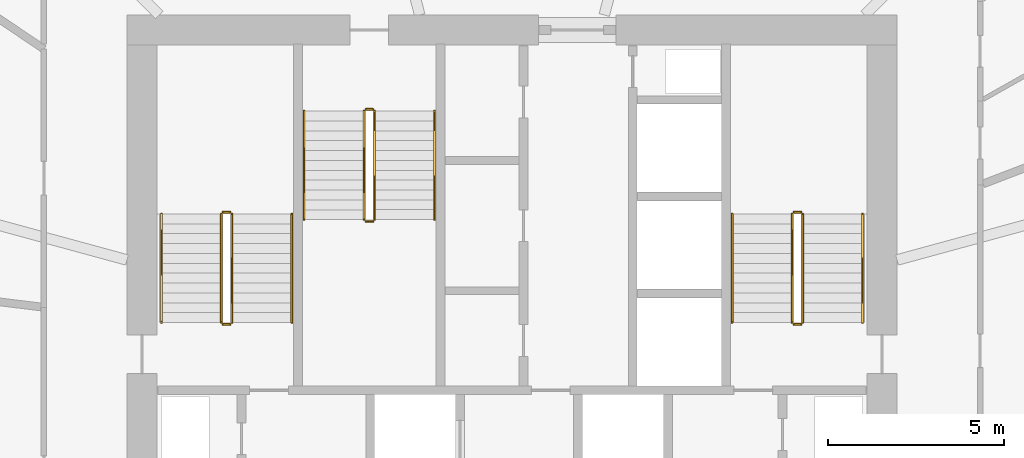
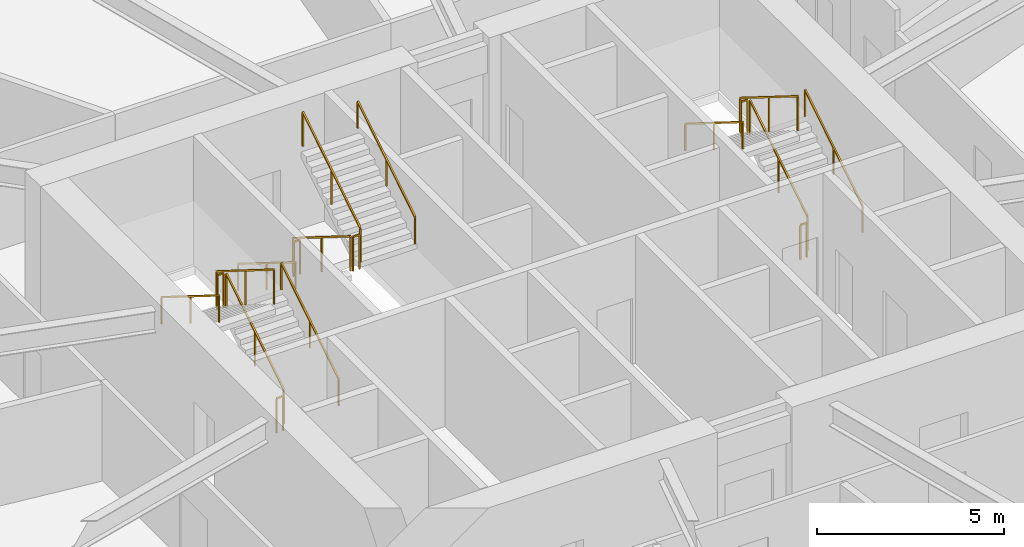
# One storey, part 28 of 28: 18 railings.
"""IFC4 building model written with IfcOpenShell, lengths in metres."""

from ifc_helpers import new_model, si_unit, direction, frame, origin, origin_2d, place, context, subcontext, project, spatial, rectangle, extrude, material, type_object, element, save


model = new_model("IFC4")

# Units and contexts
model_context = context("Model", 3, precision=1e-05, world=origin(), true_north=direction((0.0, 1.0)))
body_context = subcontext(model_context, "Body", "Model", "MODEL_VIEW")
ifc_project = project(units=[si_unit("LENGTHUNIT", "METRE"), si_unit("AREAUNIT", "SQUARE_METRE"), si_unit("VOLUMEUNIT", "CUBIC_METRE"), si_unit("PLANEANGLEUNIT", "RADIAN"), si_unit("MASSUNIT", "GRAM", prefix="KILO")], contexts=[model_context])

# Site, building, storey
site_placement = place(None, origin())
site = spatial("IfcSite", under=ifc_project, at=site_placement, CompositionType="ELEMENT")
building_placement = place(site_placement, origin())
building = spatial("IfcBuilding", under=site, at=building_placement, Name="Zuhravey Tower", CompositionType="ELEMENT")
storey_placement = place(building_placement, frame((0.0, 0.0, 24.60009765625)))
storey = spatial("IfcBuildingStorey", under=building, at=storey_placement, Name="L06", CompositionType="ELEMENT", Elevation=24.60009765625)

# Railings
ifc_material_1 = material(Name="Brushed stainless steel", Category="steel")
railing_type_1 = type_object("IfcRailingType", Name="Stair Wall Handrail 900", PredefinedType="HANDRAIL", material=ifc_material_1)
railing_1_placement = place(storey_placement, frame((29.75, 33.199951171875, 0.1748046875)))
element("IfcRailing", 1, at=railing_1_placement, inside=storey, type_object=railing_type_1, Name="L06 ST1 stair handrail 1", PredefinedType="HANDRAIL", context=body_context, shape_type="SweptSolid", body=[
    extrude(rectangle(XDim=0.048095703125, YDim=0.048095703125, at=origin_2d()), frame((0.0, 0.001708984375, 0.876953125), z_axis=(0.0, 0.847998304005, 0.529998940003), x_axis=(-1.0, 0.0, 0.0)), (0.0, 0.0, 1.0), 3.628173828125),
    extrude(rectangle(XDim=0.0419921875, YDim=0.0419921875, at=origin_2d()), origin(), (0.0, 0.0, 1.0), 0.849853515625),
    extrude(rectangle(XDim=0.0419921875, YDim=0.0419921875, at=origin_2d()), frame((0.0, 1.5400390625, 0.96240234375)), (0.0, 0.0, 1.0), 0.849853515625),
    extrude(rectangle(XDim=0.0419921875, YDim=0.0419921875, at=origin_2d()), frame((0.0, 3.080078125, 1.925048828125)), (0.0, 0.0, 1.0), 0.849853515625),
])
railing_2_placement = place(storey_placement, frame((26.050048828125, 36.280029296875, 2.27490234375)))
element("IfcRailing", 2, at=railing_2_placement, inside=storey, type_object=railing_type_1, Name="L06 ST1 stair handrail 2", PredefinedType="HANDRAIL", context=body_context, shape_type="SweptSolid", body=[
    extrude(rectangle(XDim=0.048095703125, YDim=0.048095703125, at=origin_2d()), frame((0.0, -0.001708984375, 0.876953125), z_axis=(0.0, -0.847998304005, 0.529998940003), x_axis=(1.0, 0.0, 0.0)), (0.0, 0.0, 1.0), 3.628173828125),
    extrude(rectangle(XDim=0.0419921875, YDim=0.0419921875, at=origin_2d()), origin(), (0.0, 0.0, 1.0), 0.849853515625),
    extrude(rectangle(XDim=0.0419921875, YDim=0.0419921875, at=origin_2d()), frame((0.0, -1.5400390625, 0.96240234375)), (0.0, 0.0, 1.0), 0.849853515625),
    extrude(rectangle(XDim=0.0419921875, YDim=0.0419921875, at=origin_2d()), frame((0.0, -3.080078125, 1.925048828125)), (0.0, 0.0, 1.0), 0.849853515625),
])
railing_3_placement = place(storey_placement, frame((45.949951171875, 33.199951171875, 0.1748046875)))
element("IfcRailing", 3, at=railing_3_placement, inside=storey, type_object=railing_type_1, Name="L06 ST2 stair handrail 1", PredefinedType="HANDRAIL", context=body_context, shape_type="SweptSolid", body=[
    extrude(rectangle(XDim=0.048095703125, YDim=0.048095703125, at=origin_2d()), frame((0.0, 0.001708984375, 0.876953125), z_axis=(0.0, 0.847998304005, 0.529998940003), x_axis=(-1.0, 0.0, 0.0)), (0.0, 0.0, 1.0), 3.628173828125),
    extrude(rectangle(XDim=0.0419921875, YDim=0.0419921875, at=origin_2d()), origin(), (0.0, 0.0, 1.0), 0.849853515625),
    extrude(rectangle(XDim=0.0419921875, YDim=0.0419921875, at=origin_2d()), frame((0.0, 1.5400390625, 0.96240234375)), (0.0, 0.0, 1.0), 0.849853515625),
    extrude(rectangle(XDim=0.0419921875, YDim=0.0419921875, at=origin_2d()), frame((0.0, 3.080078125, 1.925048828125)), (0.0, 0.0, 1.0), 0.849853515625),
])
railing_4_placement = place(storey_placement, frame((42.25, 36.280029296875, 2.27490234375)))
element("IfcRailing", 4, at=railing_4_placement, inside=storey, type_object=railing_type_1, Name="L06 ST2 stair handrail 2", PredefinedType="HANDRAIL", context=body_context, shape_type="SweptSolid", body=[
    extrude(rectangle(XDim=0.048095703125, YDim=0.048095703125, at=origin_2d()), frame((0.0, -0.001708984375, 0.876953125), z_axis=(0.0, -0.847998304005, 0.529998940003), x_axis=(1.0, 0.0, 0.0)), (0.0, 0.0, 1.0), 3.628173828125),
    extrude(rectangle(XDim=0.0419921875, YDim=0.0419921875, at=origin_2d()), origin(), (0.0, 0.0, 1.0), 0.849853515625),
    extrude(rectangle(XDim=0.0419921875, YDim=0.0419921875, at=origin_2d()), frame((0.0, -1.5400390625, 0.96240234375)), (0.0, 0.0, 1.0), 0.849853515625),
    extrude(rectangle(XDim=0.0419921875, YDim=0.0419921875, at=origin_2d()), frame((0.0, -3.080078125, 1.925048828125)), (0.0, 0.0, 1.0), 0.849853515625),
])
railing_5_placement = place(storey_placement, frame((30.10009765625, 39.199951171875, 0.1748046875)))
element("IfcRailing", 5, at=railing_5_placement, inside=storey, type_object=railing_type_1, Name="L06 ST3 stair handrail 1", PredefinedType="HANDRAIL", context=body_context, shape_type="SweptSolid", body=[
    extrude(rectangle(XDim=0.048095703125, YDim=0.048095703125, at=origin_2d()), frame((0.0, -0.001708984375, 0.876953125), z_axis=(0.0, -0.847979421464, 0.530029150871), x_axis=(1.0, 0.0, 0.0)), (0.0, 0.0, 1.0), 3.6279296875),
    extrude(rectangle(XDim=0.0419921875, YDim=0.0419921875, at=origin_2d()), origin(), (0.0, 0.0, 1.0), 0.849853515625),
    extrude(rectangle(XDim=0.0419921875, YDim=0.0419921875, at=origin_2d()), frame((0.0, -1.5400390625, 0.96240234375)), (0.0, 0.0, 1.0), 0.849853515625),
    extrude(rectangle(XDim=0.0419921875, YDim=0.0419921875, at=origin_2d()), frame((0.0, -3.079833984375, 1.925048828125)), (0.0, 0.0, 1.0), 0.849853515625),
])
railing_6_placement = place(storey_placement, frame((33.800048828125, 36.1201171875, 2.27490234375)))
element("IfcRailing", 6, at=railing_6_placement, inside=storey, type_object=railing_type_1, Name="L06 ST3 stair handrail 2", PredefinedType="HANDRAIL", context=body_context, shape_type="SweptSolid", body=[
    extrude(rectangle(XDim=0.048095703125, YDim=0.048095703125, at=origin_2d()), frame((0.0, 0.001708984375, 0.876953125), z_axis=(0.0, 0.847979421464, 0.530029150871), x_axis=(-1.0, 0.0, 0.0)), (0.0, 0.0, 1.0), 3.6279296875),
    extrude(rectangle(XDim=0.0419921875, YDim=0.0419921875, at=origin_2d()), origin(), (0.0, 0.0, 1.0), 0.849853515625),
    extrude(rectangle(XDim=0.0419921875, YDim=0.0419921875, at=origin_2d()), frame((0.0, 1.5400390625, 0.96240234375)), (0.0, 0.0, 1.0), 0.849853515625),
    extrude(rectangle(XDim=0.0419921875, YDim=0.0419921875, at=origin_2d()), frame((0.0, 3.079833984375, 1.925048828125)), (0.0, 0.0, 1.0), 0.849853515625),
])
ifc_material_2 = material(Name="Painted tubular steel", Category="steel")
railing_type_2 = type_object("IfcRailingType", Name="Stair Well Guardrail 1150", PredefinedType="GUARDRAIL", material=ifc_material_2)
railing_7_placement = place(storey_placement, frame((28.050048828125, 33.199951171875, 0.1748046875)))
element("IfcRailing", 7, at=railing_7_placement, inside=storey, type_object=railing_type_2, Name="L06 ST1 stair guard 1", PredefinedType="GUARDRAIL", context=body_context, shape_type="SweptSolid", body=[
    extrude(rectangle(XDim=0.048095703125, YDim=0.048095703125, at=origin_2d()), frame((0.0, 0.001708984375, 1.126953125), z_axis=(0.0, 0.847998304005, 0.529998940003), x_axis=(-1.0, 0.0, 0.0)), (0.0, 0.0, 1.0), 3.628173828125),
    extrude(rectangle(XDim=0.0419921875, YDim=0.0419921875, at=origin_2d()), origin(), (0.0, 0.0, 1.0), 1.099853515625),
    extrude(rectangle(XDim=0.0419921875, YDim=0.0419921875, at=origin_2d()), frame((0.0, 1.5400390625, 0.96240234375)), (0.0, 0.0, 1.0), 1.099853515625),
    extrude(rectangle(XDim=0.0419921875, YDim=0.0419921875, at=origin_2d()), frame((0.0, 3.080078125, 1.925048828125)), (0.0, 0.0, 1.0), 1.099853515625),
])
railing_8_placement = place(storey_placement, frame((28.0, 36.330078125, 2.099853515625)))
element("IfcRailing", 8, at=railing_8_placement, inside=storey, type_object=railing_type_2, Name="L06 ST1 stair guard 2", PredefinedType="GUARDRAIL", context=body_context, shape_type="SweptSolid", body=[
    extrude(rectangle(XDim=0.048095703125, YDim=0.048095703125, at=origin_2d()), frame((-0.001953125, 0.0, 1.1259765625), z_axis=(-1.0, 0.0, 0.0), x_axis=(0.0, -1.0, 0.0)), (0.0, 0.0, 1.0), 0.196044921875),
    extrude(rectangle(XDim=0.0419921875, YDim=0.0419921875, at=origin_2d()), origin(), (0.0, 0.0, 1.0), 1.099853515625),
    extrude(rectangle(XDim=0.0419921875, YDim=0.0419921875, at=origin_2d()), frame((-0.199951171875, 0.0, 0.0)), (0.0, 0.0, 1.0), 1.099853515625),
])
railing_9_placement = place(storey_placement, frame((27.75, 36.280029296875, 2.27490234375)))
element("IfcRailing", 9, at=railing_9_placement, inside=storey, type_object=railing_type_2, Name="L06 ST1 stair guard 3", PredefinedType="GUARDRAIL", context=body_context, shape_type="SweptSolid", body=[
    extrude(rectangle(XDim=0.048095703125, YDim=0.048095703125, at=origin_2d()), frame((0.0, -0.001708984375, 1.126953125), z_axis=(0.0, -0.847998304005, 0.529998940003), x_axis=(1.0, 0.0, 0.0)), (0.0, 0.0, 1.0), 3.628173828125),
    extrude(rectangle(XDim=0.0419921875, YDim=0.0419921875, at=origin_2d()), origin(), (0.0, 0.0, 1.0), 1.099853515625),
    extrude(rectangle(XDim=0.0419921875, YDim=0.0419921875, at=origin_2d()), frame((0.0, -1.5400390625, 0.96240234375)), (0.0, 0.0, 1.0), 1.099853515625),
    extrude(rectangle(XDim=0.0419921875, YDim=0.0419921875, at=origin_2d()), frame((0.0, -3.080078125, 1.925048828125)), (0.0, 0.0, 1.0), 1.099853515625),
])
railing_10_placement = place(storey_placement, frame((28.0, 33.14990234375, 0.0)))
element("IfcRailing", 10, at=railing_10_placement, inside=storey, type_object=railing_type_2, Name="L06 ST1 stair guard 4", PredefinedType="GUARDRAIL", context=body_context, shape_type="SweptSolid", body=[
    extrude(rectangle(XDim=0.048095703125, YDim=0.048095703125, at=origin_2d()), frame((-0.001953125, 0.0, 1.1259765625), z_axis=(-1.0, 0.0, 0.0), x_axis=(0.0, -1.0, 0.0)), (0.0, 0.0, 1.0), 0.196044921875),
    extrude(rectangle(XDim=0.0419921875, YDim=0.0419921875, at=origin_2d()), origin(), (0.0, 0.0, 1.0), 1.099853515625),
    extrude(rectangle(XDim=0.0419921875, YDim=0.0419921875, at=origin_2d()), frame((-0.199951171875, 0.0, 0.0)), (0.0, 0.0, 1.0), 1.099853515625),
])
railing_11_placement = place(storey_placement, frame((44.25, 33.199951171875, 0.1748046875)))
element("IfcRailing", 11, at=railing_11_placement, inside=storey, type_object=railing_type_2, Name="L06 ST2 stair guard 1", PredefinedType="GUARDRAIL", context=body_context, shape_type="SweptSolid", body=[
    extrude(rectangle(XDim=0.048095703125, YDim=0.048095703125, at=origin_2d()), frame((0.0, 0.001708984375, 1.126953125), z_axis=(0.0, 0.847998304005, 0.529998940003), x_axis=(-1.0, 0.0, 0.0)), (0.0, 0.0, 1.0), 3.628173828125),
    extrude(rectangle(XDim=0.0419921875, YDim=0.0419921875, at=origin_2d()), origin(), (0.0, 0.0, 1.0), 1.099853515625),
    extrude(rectangle(XDim=0.0419921875, YDim=0.0419921875, at=origin_2d()), frame((0.0, 1.5400390625, 0.96240234375)), (0.0, 0.0, 1.0), 1.099853515625),
    extrude(rectangle(XDim=0.0419921875, YDim=0.0419921875, at=origin_2d()), frame((0.0, 3.080078125, 1.925048828125)), (0.0, 0.0, 1.0), 1.099853515625),
])
railing_12_placement = place(storey_placement, frame((44.199951171875, 36.330078125, 2.099853515625)))
element("IfcRailing", 12, at=railing_12_placement, inside=storey, type_object=railing_type_2, Name="L06 ST2 stair guard 2", PredefinedType="GUARDRAIL", context=body_context, shape_type="SweptSolid", body=[
    extrude(rectangle(XDim=0.048095703125, YDim=0.048095703125, at=origin_2d()), frame((-0.001953125, 0.0, 1.1259765625), z_axis=(-1.0, 0.0, 0.0), x_axis=(0.0, -1.0, 0.0)), (0.0, 0.0, 1.0), 0.196044921875),
    extrude(rectangle(XDim=0.0419921875, YDim=0.0419921875, at=origin_2d()), origin(), (0.0, 0.0, 1.0), 1.099853515625),
    extrude(rectangle(XDim=0.0419921875, YDim=0.0419921875, at=origin_2d()), frame((-0.199951171875, 0.0, 0.0)), (0.0, 0.0, 1.0), 1.099853515625),
])
railing_13_placement = place(storey_placement, frame((43.949951171875, 36.280029296875, 2.27490234375)))
element("IfcRailing", 13, at=railing_13_placement, inside=storey, type_object=railing_type_2, Name="L06 ST2 stair guard 3", PredefinedType="GUARDRAIL", context=body_context, shape_type="SweptSolid", body=[
    extrude(rectangle(XDim=0.048095703125, YDim=0.048095703125, at=origin_2d()), frame((0.0, -0.001708984375, 1.126953125), z_axis=(0.0, -0.847998304005, 0.529998940003), x_axis=(1.0, 0.0, 0.0)), (0.0, 0.0, 1.0), 3.628173828125),
    extrude(rectangle(XDim=0.0419921875, YDim=0.0419921875, at=origin_2d()), origin(), (0.0, 0.0, 1.0), 1.099853515625),
    extrude(rectangle(XDim=0.0419921875, YDim=0.0419921875, at=origin_2d()), frame((0.0, -1.5400390625, 0.96240234375)), (0.0, 0.0, 1.0), 1.099853515625),
    extrude(rectangle(XDim=0.0419921875, YDim=0.0419921875, at=origin_2d()), frame((0.0, -3.080078125, 1.925048828125)), (0.0, 0.0, 1.0), 1.099853515625),
])
railing_14_placement = place(storey_placement, frame((44.199951171875, 33.14990234375, 0.0)))
element("IfcRailing", 14, at=railing_14_placement, inside=storey, type_object=railing_type_2, Name="L06 ST2 stair guard 4", PredefinedType="GUARDRAIL", context=body_context, shape_type="SweptSolid", body=[
    extrude(rectangle(XDim=0.048095703125, YDim=0.048095703125, at=origin_2d()), frame((-0.001953125, 0.0, 1.1259765625), z_axis=(-1.0, 0.0, 0.0), x_axis=(0.0, -1.0, 0.0)), (0.0, 0.0, 1.0), 0.196044921875),
    extrude(rectangle(XDim=0.0419921875, YDim=0.0419921875, at=origin_2d()), origin(), (0.0, 0.0, 1.0), 1.099853515625),
    extrude(rectangle(XDim=0.0419921875, YDim=0.0419921875, at=origin_2d()), frame((-0.199951171875, 0.0, 0.0)), (0.0, 0.0, 1.0), 1.099853515625),
])
railing_15_placement = place(storey_placement, frame((31.800048828125, 39.199951171875, 0.1748046875)))
element("IfcRailing", 15, at=railing_15_placement, inside=storey, type_object=railing_type_2, Name="L06 ST3 stair guard 1", PredefinedType="GUARDRAIL", context=body_context, shape_type="SweptSolid", body=[
    extrude(rectangle(XDim=0.048095703125, YDim=0.048095703125, at=origin_2d()), frame((0.0, -0.001708984375, 1.126953125), z_axis=(0.0, -0.847979421464, 0.530029150871), x_axis=(1.0, 0.0, 0.0)), (0.0, 0.0, 1.0), 3.6279296875),
    extrude(rectangle(XDim=0.0419921875, YDim=0.0419921875, at=origin_2d()), origin(), (0.0, 0.0, 1.0), 1.099853515625),
    extrude(rectangle(XDim=0.0419921875, YDim=0.0419921875, at=origin_2d()), frame((0.0, -1.5400390625, 0.96240234375)), (0.0, 0.0, 1.0), 1.099853515625),
    extrude(rectangle(XDim=0.0419921875, YDim=0.0419921875, at=origin_2d()), frame((0.0, -3.079833984375, 1.925048828125)), (0.0, 0.0, 1.0), 1.099853515625),
])
railing_16_placement = place(storey_placement, frame((31.85009765625, 36.070068359375, 2.099853515625)))
element("IfcRailing", 16, at=railing_16_placement, inside=storey, type_object=railing_type_2, Name="L06 ST3 stair guard 2", PredefinedType="GUARDRAIL", context=body_context, shape_type="SweptSolid", body=[
    extrude(rectangle(XDim=0.048095703125, YDim=0.048095703125, at=origin_2d()), frame((0.001953125, 0.0, 1.1259765625), z_axis=(1.0, 0.0, 0.0), x_axis=(0.0, 1.0, 0.0)), (0.0, 0.0, 1.0), 0.196044921875),
    extrude(rectangle(XDim=0.0419921875, YDim=0.0419921875, at=origin_2d()), origin(), (0.0, 0.0, 1.0), 1.099853515625),
    extrude(rectangle(XDim=0.0419921875, YDim=0.0419921875, at=origin_2d()), frame((0.199951171875, 0.0, 0.0)), (0.0, 0.0, 1.0), 1.099853515625),
])
railing_17_placement = place(storey_placement, frame((32.10009765625, 36.1201171875, 2.27490234375)))
element("IfcRailing", 17, at=railing_17_placement, inside=storey, type_object=railing_type_2, Name="L06 ST3 stair guard 3", PredefinedType="GUARDRAIL", context=body_context, shape_type="SweptSolid", body=[
    extrude(rectangle(XDim=0.048095703125, YDim=0.048095703125, at=origin_2d()), frame((0.0, 0.001708984375, 1.126953125), z_axis=(0.0, 0.847979421464, 0.530029150871), x_axis=(-1.0, 0.0, 0.0)), (0.0, 0.0, 1.0), 3.6279296875),
    extrude(rectangle(XDim=0.0419921875, YDim=0.0419921875, at=origin_2d()), origin(), (0.0, 0.0, 1.0), 1.099853515625),
    extrude(rectangle(XDim=0.0419921875, YDim=0.0419921875, at=origin_2d()), frame((0.0, 1.5400390625, 0.96240234375)), (0.0, 0.0, 1.0), 1.099853515625),
    extrude(rectangle(XDim=0.0419921875, YDim=0.0419921875, at=origin_2d()), frame((0.0, 3.079833984375, 1.925048828125)), (0.0, 0.0, 1.0), 1.099853515625),
])
railing_18_placement = place(storey_placement, frame((31.85009765625, 39.25, 0.0)))
element("IfcRailing", 18, at=railing_18_placement, inside=storey, type_object=railing_type_2, Name="L06 ST3 stair guard 4", PredefinedType="GUARDRAIL", context=body_context, shape_type="SweptSolid", body=[
    extrude(rectangle(XDim=0.048095703125, YDim=0.048095703125, at=origin_2d()), frame((0.001953125, 0.0, 1.1259765625), z_axis=(1.0, 0.0, 0.0), x_axis=(0.0, 1.0, 0.0)), (0.0, 0.0, 1.0), 0.196044921875),
    extrude(rectangle(XDim=0.0419921875, YDim=0.0419921875, at=origin_2d()), origin(), (0.0, 0.0, 1.0), 1.099853515625),
    extrude(rectangle(XDim=0.0419921875, YDim=0.0419921875, at=origin_2d()), frame((0.199951171875, 0.0, 0.0)), (0.0, 0.0, 1.0), 1.099853515625),
])

save(model, "model.ifc")
